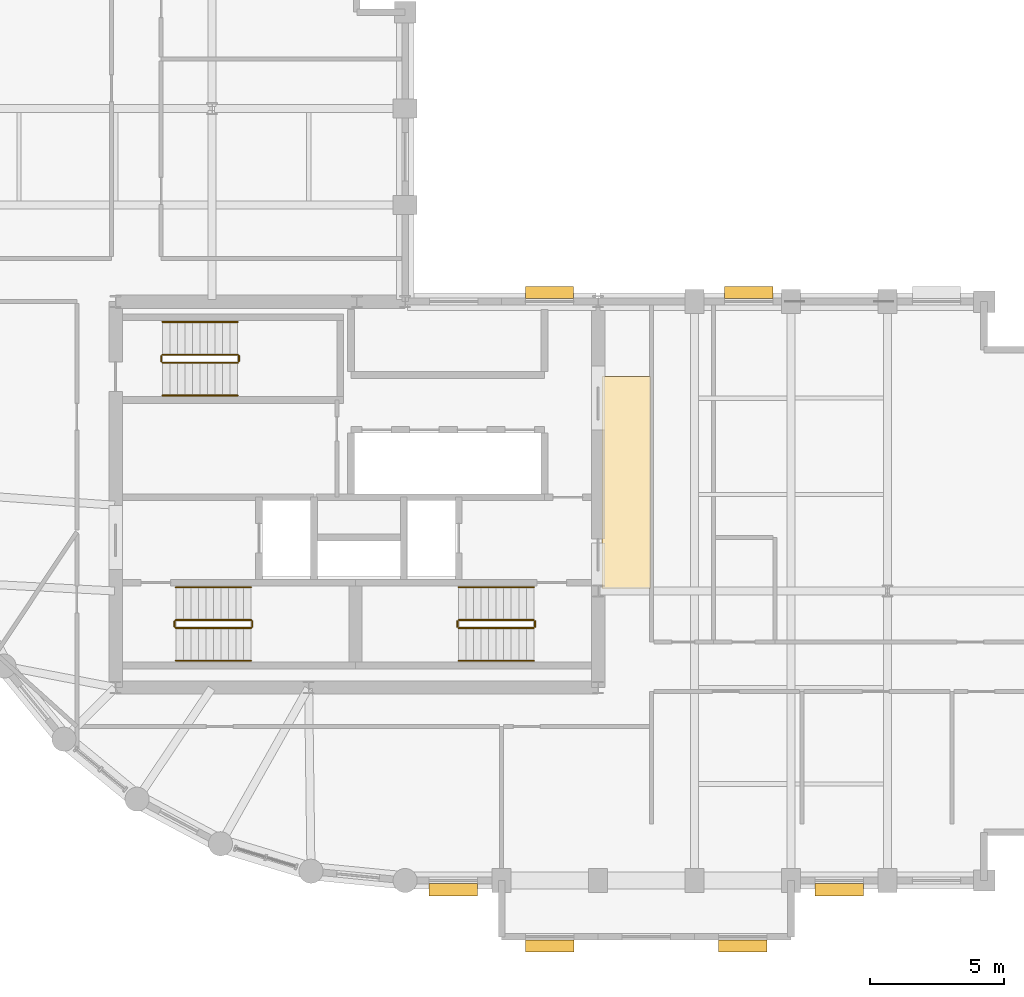
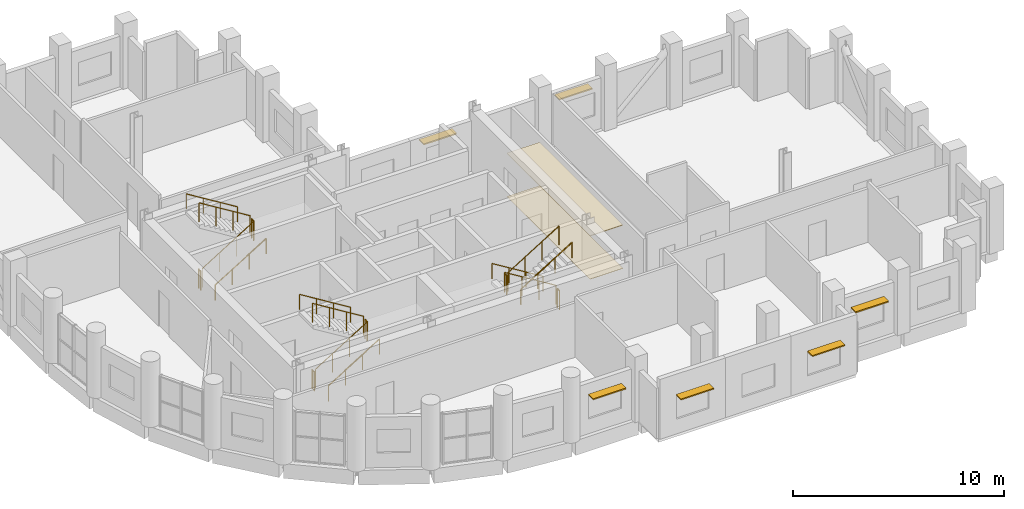
# One storey, part 10 of 11: 18 railings, 6 shading devices, 2 coverings.
"""IFC4 building model written with IfcOpenShell, lengths in metres."""

from ifc_helpers import new_model, si_unit, direction, frame, origin, origin_2d, place, context, subcontext, project, spatial, polyline, rectangle, circle, outline, extrude, material, layer, layer_set, type_object, element, save


model = new_model("IFC4")

# Units and contexts
model_context = context("Model", 3, precision=1e-05, world=origin(), true_north=direction((0.0, 1.0)))
body_context = subcontext(model_context, "Body", "Model", "MODEL_VIEW")
ifc_project = project(units=[si_unit("LENGTHUNIT", "METRE"), si_unit("AREAUNIT", "SQUARE_METRE"), si_unit("VOLUMEUNIT", "CUBIC_METRE"), si_unit("PLANEANGLEUNIT", "RADIAN"), si_unit("MASSUNIT", "GRAM", prefix="KILO")], contexts=[model_context])

# Site, building, storey
site_placement = place(None, origin())
site = spatial("IfcSite", under=ifc_project, at=site_placement, CompositionType="ELEMENT")
building_placement = place(site_placement, origin())
building = spatial("IfcBuilding", under=site, at=building_placement, Name="Solnavia Interchange Tower", CompositionType="ELEMENT")
storey_placement = place(building_placement, frame((0.0, 0.0, 205.199951171875)))
storey = spatial("IfcBuildingStorey", under=building, at=storey_placement, Name="L51", CompositionType="ELEMENT", Elevation=205.199951171875)

# Coverings
ifc_material_1 = material(Name="Perforated Mineral-Fibre & Gypsum Ceiling", Category="gypsum")
ifc_layer_1 = layer(ifc_material_1, 0.0400390625)
ifc_layer_set_1 = layer_set([ifc_layer_1], Name="Perforated Mineral-Fibre & Gypsum Ceiling")
covering_type_1 = type_object("IfcCoveringType", Name="Covering-Ceiling-Acoustic40", PredefinedType="CEILING", material=ifc_layer_set_1)
covering_1_placement = place(storey_placement, frame((0.0, 0.0, 2.5)))
element("IfcCovering", 1, at=covering_1_placement, inside=storey, type_object=covering_type_1, Name="CLG-L51-01 Circulation suspended acoustic ceiling", PredefinedType="CEILING", context=body_context, shape_type="SweptSolid", body=[
    extrude(outline(polyline([(32.550048828125, 14.5), (34.35009765625, 14.5), (34.35009765625, 22.39990234375), (32.550048828125, 22.39990234375), (32.550048828125, 14.5)])), origin(), (0.0, 0.0, 1.0), 0.0400390625),
])
ifc_material_2 = material(Name="Engineered European Oak Flooring", Category="wood")
ifc_layer_2 = layer(ifc_material_2, 0.02001953125)
ifc_layer_set_2 = layer_set([ifc_layer_2], Name="Engineered European Oak Flooring")
covering_type_2 = type_object("IfcCoveringType", Name="Covering-Flooring-Timber20", PredefinedType="FLOORING", material=ifc_layer_set_2)
covering_2_placement = place(storey_placement, origin())
element("IfcCovering", 2, at=covering_2_placement, inside=storey, type_object=covering_type_2, Name="FLR-L51-01 Circulation floor finish", PredefinedType="FLOORING", context=body_context, shape_type="SweptSolid", body=[
    extrude(outline(polyline([(32.550048828125, 14.5), (34.35009765625, 14.5), (34.35009765625, 22.39990234375), (32.550048828125, 22.39990234375), (32.550048828125, 14.5)])), origin(), (0.0, 0.0, 1.0), 0.02001953125),
])

# Railings
ifc_material_3 = material(Name="Painted Steel Balustrade", Category="steel")
railing_type_1 = type_object("IfcRailingType", Name="Railing-StairGuard-1100", PredefinedType="GUARDRAIL", material=ifc_material_3)
railing_1_placement = place(storey_placement, frame((16.64990234375, 13.02001953125, 0.1728515625)))
element("IfcRailing", 3, at=railing_1_placement, inside=storey, type_object=railing_type_1, Name="L51 ST-1 stair guard 1", PredefinedType="GUARDRAIL", context=body_context, shape_type="SweptSolid", body=[
    extrude(circle(Radius=0.02392578125, at=origin_2d()), frame((0.0, 0.0, 1.09619140625), z_axis=(0.851089632645, 0.0, 0.525020415988), x_axis=(0.0, 1.0, 0.0)), (0.0, 0.0, 1.0), 3.2900390625),
    extrude(circle(Radius=0.02099609375, at=origin_2d()), origin(), (0.0, 0.0, 1.0), 1.072021484375),
    extrude(circle(Radius=0.02099609375, at=origin_2d()), frame((0.933349609375, 0.0, 0.57568359375)), (0.0, 0.0, 1.0), 1.072021484375),
    extrude(circle(Radius=0.02099609375, at=origin_2d()), frame((1.86669921875, 0.0, 1.151611328125)), (0.0, 0.0, 1.0), 1.072021484375),
    extrude(circle(Radius=0.02099609375, at=origin_2d()), frame((2.800048828125, 0.0, 1.727294921875)), (0.0, 0.0, 1.0), 1.072021484375),
])
railing_2_placement = place(storey_placement, frame((19.5, 13.070068359375, 1.900146484375)))
element("IfcRailing", 4, at=railing_2_placement, inside=storey, type_object=railing_type_1, Name="L51 ST-1 stair guard 2", PredefinedType="GUARDRAIL", context=body_context, shape_type="SweptSolid", body=[
    extrude(circle(Radius=0.02392578125, at=origin_2d()), frame((0.0, 0.0, 1.09619140625), z_axis=(0.0, 1.0, 0.0), x_axis=(-1.0, 0.0, 0.0)), (0.0, 0.0, 1.0), 0.199951171875),
    extrude(circle(Radius=0.02099609375, at=origin_2d()), origin(), (0.0, 0.0, 1.0), 1.072021484375),
    extrude(circle(Radius=0.02099609375, at=origin_2d()), frame((0.0, 0.199951171875, 0.0)), (0.0, 0.0, 1.0), 1.072021484375),
])
railing_3_placement = place(storey_placement, frame((19.449951171875, 13.320068359375, 2.07275390625)))
element("IfcRailing", 5, at=railing_3_placement, inside=storey, type_object=railing_type_1, Name="L51 ST-1 stair guard 3", PredefinedType="GUARDRAIL", context=body_context, shape_type="SweptSolid", body=[
    extrude(circle(Radius=0.02392578125, at=origin_2d()), frame((0.0, 0.0, 1.09619140625), z_axis=(-0.851089632645, 0.0, 0.525020415988), x_axis=(0.0, -1.0, 0.0)), (0.0, 0.0, 1.0), 3.2900390625),
    extrude(circle(Radius=0.02099609375, at=origin_2d()), origin(), (0.0, 0.0, 1.0), 1.072021484375),
    extrude(circle(Radius=0.02099609375, at=origin_2d()), frame((-0.933349609375, 0.0, 0.57568359375)), (0.0, 0.0, 1.0), 1.072021484375),
    extrude(circle(Radius=0.02099609375, at=origin_2d()), frame((-1.86669921875, 0.0, 1.151611328125)), (0.0, 0.0, 1.0), 1.072021484375),
    extrude(circle(Radius=0.02099609375, at=origin_2d()), frame((-2.800048828125, 0.0, 1.727294921875)), (0.0, 0.0, 1.0), 1.072021484375),
])
railing_4_placement = place(storey_placement, frame((16.60009765625, 13.070068359375, 0.0)))
element("IfcRailing", 6, at=railing_4_placement, inside=storey, type_object=railing_type_1, Name="L51 ST-1 stair guard 4", PredefinedType="GUARDRAIL", context=body_context, shape_type="SweptSolid", body=[
    extrude(circle(Radius=0.02392578125, at=origin_2d()), frame((0.0, 0.0, 1.09619140625), z_axis=(0.0, 1.0, 0.0), x_axis=(-1.0, 0.0, 0.0)), (0.0, 0.0, 1.0), 0.199951171875),
    extrude(circle(Radius=0.02099609375, at=origin_2d()), origin(), (0.0, 0.0, 1.0), 1.072021484375),
    extrude(circle(Radius=0.02099609375, at=origin_2d()), frame((0.0, 0.199951171875, 0.0)), (0.0, 0.0, 1.0), 1.072021484375),
])
railing_5_placement = place(storey_placement, frame((30.0, 13.320068359375, 0.1728515625)))
element("IfcRailing", 7, at=railing_5_placement, inside=storey, type_object=railing_type_1, Name="L51 ST-2 stair guard 1", PredefinedType="GUARDRAIL", context=body_context, shape_type="SweptSolid", body=[
    extrude(circle(Radius=0.02392578125, at=origin_2d()), frame((0.0, 0.0, 1.09619140625), z_axis=(-0.851089632645, 0.0, 0.525020415988), x_axis=(0.0, -1.0, 0.0)), (0.0, 0.0, 1.0), 3.2900390625),
    extrude(circle(Radius=0.02099609375, at=origin_2d()), origin(), (0.0, 0.0, 1.0), 1.072021484375),
    extrude(circle(Radius=0.02099609375, at=origin_2d()), frame((-0.933349609375, 0.0, 0.57568359375)), (0.0, 0.0, 1.0), 1.072021484375),
    extrude(circle(Radius=0.02099609375, at=origin_2d()), frame((-1.86669921875, 0.0, 1.151611328125)), (0.0, 0.0, 1.0), 1.072021484375),
    extrude(circle(Radius=0.02099609375, at=origin_2d()), frame((-2.800048828125, 0.0, 1.727294921875)), (0.0, 0.0, 1.0), 1.072021484375),
])
railing_6_placement = place(storey_placement, frame((27.14990234375, 13.27001953125, 1.900146484375)))
element("IfcRailing", 8, at=railing_6_placement, inside=storey, type_object=railing_type_1, Name="L51 ST-2 stair guard 2", PredefinedType="GUARDRAIL", context=body_context, shape_type="SweptSolid", body=[
    extrude(circle(Radius=0.02392578125, at=origin_2d()), frame((0.0, 0.0, 1.09619140625), z_axis=(0.0, -1.0, 0.0), x_axis=(1.0, 0.0, 0.0)), (0.0, 0.0, 1.0), 0.199951171875),
    extrude(circle(Radius=0.02099609375, at=origin_2d()), origin(), (0.0, 0.0, 1.0), 1.072021484375),
    extrude(circle(Radius=0.02099609375, at=origin_2d()), frame((0.0, -0.199951171875, 0.0)), (0.0, 0.0, 1.0), 1.072021484375),
])
railing_7_placement = place(storey_placement, frame((27.199951171875, 13.02001953125, 2.07275390625)))
element("IfcRailing", 9, at=railing_7_placement, inside=storey, type_object=railing_type_1, Name="L51 ST-2 stair guard 3", PredefinedType="GUARDRAIL", context=body_context, shape_type="SweptSolid", body=[
    extrude(circle(Radius=0.02392578125, at=origin_2d()), frame((0.0, 0.0, 1.09619140625), z_axis=(0.851089632645, 0.0, 0.525020415988), x_axis=(0.0, 1.0, 0.0)), (0.0, 0.0, 1.0), 3.2900390625),
    extrude(circle(Radius=0.02099609375, at=origin_2d()), origin(), (0.0, 0.0, 1.0), 1.072021484375),
    extrude(circle(Radius=0.02099609375, at=origin_2d()), frame((0.933349609375, 0.0, 0.57568359375)), (0.0, 0.0, 1.0), 1.072021484375),
    extrude(circle(Radius=0.02099609375, at=origin_2d()), frame((1.86669921875, 0.0, 1.151611328125)), (0.0, 0.0, 1.0), 1.072021484375),
    extrude(circle(Radius=0.02099609375, at=origin_2d()), frame((2.800048828125, 0.0, 1.727294921875)), (0.0, 0.0, 1.0), 1.072021484375),
])
railing_8_placement = place(storey_placement, frame((30.050048828125, 13.27001953125, 0.0)))
element("IfcRailing", 10, at=railing_8_placement, inside=storey, type_object=railing_type_1, Name="L51 ST-2 stair guard 4", PredefinedType="GUARDRAIL", context=body_context, shape_type="SweptSolid", body=[
    extrude(circle(Radius=0.02392578125, at=origin_2d()), frame((0.0, 0.0, 1.09619140625), z_axis=(0.0, -1.0, 0.0), x_axis=(1.0, 0.0, 0.0)), (0.0, 0.0, 1.0), 0.199951171875),
    extrude(circle(Radius=0.02099609375, at=origin_2d()), origin(), (0.0, 0.0, 1.0), 1.072021484375),
    extrude(circle(Radius=0.02099609375, at=origin_2d()), frame((0.0, -0.199951171875, 0.0)), (0.0, 0.0, 1.0), 1.072021484375),
])
railing_9_placement = place(storey_placement, frame((16.14990234375, 22.919921875, 0.1728515625)))
element("IfcRailing", 11, at=railing_9_placement, inside=storey, type_object=railing_type_1, Name="L51 ST-3 stair guard 1", PredefinedType="GUARDRAIL", context=body_context, shape_type="SweptSolid", body=[
    extrude(circle(Radius=0.02392578125, at=origin_2d()), frame((0.0, 0.0, 1.09619140625), z_axis=(0.851089632645, 0.0, 0.525020415988), x_axis=(0.0, 1.0, 0.0)), (0.0, 0.0, 1.0), 3.2900390625),
    extrude(circle(Radius=0.02099609375, at=origin_2d()), origin(), (0.0, 0.0, 1.0), 1.072021484375),
    extrude(circle(Radius=0.02099609375, at=origin_2d()), frame((0.933349609375, 0.0, 0.57568359375)), (0.0, 0.0, 1.0), 1.072021484375),
    extrude(circle(Radius=0.02099609375, at=origin_2d()), frame((1.86669921875, 0.0, 1.151611328125)), (0.0, 0.0, 1.0), 1.072021484375),
    extrude(circle(Radius=0.02099609375, at=origin_2d()), frame((2.800048828125, 0.0, 1.727294921875)), (0.0, 0.0, 1.0), 1.072021484375),
])
railing_10_placement = place(storey_placement, frame((19.0, 22.969970703125, 1.900146484375)))
element("IfcRailing", 12, at=railing_10_placement, inside=storey, type_object=railing_type_1, Name="L51 ST-3 stair guard 2", PredefinedType="GUARDRAIL", context=body_context, shape_type="SweptSolid", body=[
    extrude(circle(Radius=0.02392578125, at=origin_2d()), frame((0.0, 0.0, 1.09619140625), z_axis=(0.0, 1.0, 0.0), x_axis=(-1.0, 0.0, 0.0)), (0.0, 0.0, 1.0), 0.199951171875),
    extrude(circle(Radius=0.02099609375, at=origin_2d()), origin(), (0.0, 0.0, 1.0), 1.072021484375),
    extrude(circle(Radius=0.02099609375, at=origin_2d()), frame((0.0, 0.199951171875, 0.0)), (0.0, 0.0, 1.0), 1.072021484375),
])
railing_11_placement = place(storey_placement, frame((18.949951171875, 23.219970703125, 2.07275390625)))
element("IfcRailing", 13, at=railing_11_placement, inside=storey, type_object=railing_type_1, Name="L51 ST-3 stair guard 3", PredefinedType="GUARDRAIL", context=body_context, shape_type="SweptSolid", body=[
    extrude(circle(Radius=0.02392578125, at=origin_2d()), frame((0.0, 0.0, 1.09619140625), z_axis=(-0.851089632645, 0.0, 0.525020415988), x_axis=(0.0, -1.0, 0.0)), (0.0, 0.0, 1.0), 3.2900390625),
    extrude(circle(Radius=0.02099609375, at=origin_2d()), origin(), (0.0, 0.0, 1.0), 1.072021484375),
    extrude(circle(Radius=0.02099609375, at=origin_2d()), frame((-0.933349609375, 0.0, 0.57568359375)), (0.0, 0.0, 1.0), 1.072021484375),
    extrude(circle(Radius=0.02099609375, at=origin_2d()), frame((-1.86669921875, 0.0, 1.151611328125)), (0.0, 0.0, 1.0), 1.072021484375),
    extrude(circle(Radius=0.02099609375, at=origin_2d()), frame((-2.800048828125, 0.0, 1.727294921875)), (0.0, 0.0, 1.0), 1.072021484375),
])
railing_12_placement = place(storey_placement, frame((16.10009765625, 22.969970703125, 0.0)))
element("IfcRailing", 14, at=railing_12_placement, inside=storey, type_object=railing_type_1, Name="L51 ST-3 stair guard 4", PredefinedType="GUARDRAIL", context=body_context, shape_type="SweptSolid", body=[
    extrude(circle(Radius=0.02392578125, at=origin_2d()), frame((0.0, 0.0, 1.09619140625), z_axis=(0.0, 1.0, 0.0), x_axis=(-1.0, 0.0, 0.0)), (0.0, 0.0, 1.0), 0.199951171875),
    extrude(circle(Radius=0.02099609375, at=origin_2d()), origin(), (0.0, 0.0, 1.0), 1.072021484375),
    extrude(circle(Radius=0.02099609375, at=origin_2d()), frame((0.0, 0.199951171875, 0.0)), (0.0, 0.0, 1.0), 1.072021484375),
])
ifc_material_4 = material(Name="Brushed Stainless Steel", Category="steel")
railing_type_2 = type_object("IfcRailingType", Name="Railing-StairHandrail-900", PredefinedType="HANDRAIL", material=ifc_material_4)
railing_13_placement = place(storey_placement, frame((16.64990234375, 11.800048828125, 0.1728515625)))
element("IfcRailing", 15, at=railing_13_placement, inside=storey, type_object=railing_type_2, Name="L51 ST-1 stair handrail 1", PredefinedType="HANDRAIL", context=body_context, shape_type="SweptSolid", body=[
    extrude(circle(Radius=0.02392578125, at=origin_2d()), frame((0.0, 0.0, 0.8759765625), z_axis=(0.851089632645, 0.0, 0.525020415988), x_axis=(0.0, 1.0, 0.0)), (0.0, 0.0, 1.0), 3.2900390625),
    extrude(circle(Radius=0.02099609375, at=origin_2d()), origin(), (0.0, 0.0, 1.0), 0.851806640625),
    extrude(circle(Radius=0.02099609375, at=origin_2d()), frame((0.933349609375, 0.0, 0.57568359375)), (0.0, 0.0, 1.0), 0.851806640625),
    extrude(circle(Radius=0.02099609375, at=origin_2d()), frame((1.86669921875, 0.0, 1.151611328125)), (0.0, 0.0, 1.0), 0.851806640625),
    extrude(circle(Radius=0.02099609375, at=origin_2d()), frame((2.800048828125, 0.0, 1.727294921875)), (0.0, 0.0, 1.0), 0.851806640625),
])
for number, where, name in (
    (16, (19.449951171875, 14.5400390625, 2.07275390625), "L51 ST-1 stair handrail 2"),
    (17, (30.0, 14.5400390625, 0.1728515625), "L51 ST-2 stair handrail 1"),
):
    element("IfcRailing", number, at=place(storey_placement, frame(where)), inside=storey, type_object=railing_type_2, Name=name, PredefinedType="HANDRAIL", context=body_context, shape_type="SweptSolid", body=[
        extrude(circle(Radius=0.02392578125, at=origin_2d()), frame((0.0, 0.0, 0.8759765625), z_axis=(-0.851089632645, 0.0, 0.525020415988), x_axis=(0.0, -1.0, 0.0)), (0.0, 0.0, 1.0), 3.2900390625),
        extrude(circle(Radius=0.02099609375, at=origin_2d()), origin(), (0.0, 0.0, 1.0), 0.851806640625),
        extrude(circle(Radius=0.02099609375, at=origin_2d()), frame((-0.933349609375, 0.0, 0.57568359375)), (0.0, 0.0, 1.0), 0.851806640625),
        extrude(circle(Radius=0.02099609375, at=origin_2d()), frame((-1.86669921875, 0.0, 1.151611328125)), (0.0, 0.0, 1.0), 0.851806640625),
        extrude(circle(Radius=0.02099609375, at=origin_2d()), frame((-2.800048828125, 0.0, 1.727294921875)), (0.0, 0.0, 1.0), 0.851806640625),
    ])
for number, where, name in (
    (18, (27.199951171875, 11.800048828125, 2.07275390625), "L51 ST-2 stair handrail 2"),
    (19, (16.14990234375, 21.699951171875, 0.1728515625), "L51 ST-3 stair handrail 1"),
):
    element("IfcRailing", number, at=place(storey_placement, frame(where)), inside=storey, type_object=railing_type_2, Name=name, PredefinedType="HANDRAIL", context=body_context, shape_type="SweptSolid", body=[
        extrude(circle(Radius=0.02392578125, at=origin_2d()), frame((0.0, 0.0, 0.8759765625), z_axis=(0.851089632645, 0.0, 0.525020415988), x_axis=(0.0, 1.0, 0.0)), (0.0, 0.0, 1.0), 3.2900390625),
        extrude(circle(Radius=0.02099609375, at=origin_2d()), origin(), (0.0, 0.0, 1.0), 0.851806640625),
        extrude(circle(Radius=0.02099609375, at=origin_2d()), frame((0.933349609375, 0.0, 0.57568359375)), (0.0, 0.0, 1.0), 0.851806640625),
        extrude(circle(Radius=0.02099609375, at=origin_2d()), frame((1.86669921875, 0.0, 1.151611328125)), (0.0, 0.0, 1.0), 0.851806640625),
        extrude(circle(Radius=0.02099609375, at=origin_2d()), frame((2.800048828125, 0.0, 1.727294921875)), (0.0, 0.0, 1.0), 0.851806640625),
    ])
railing_14_placement = place(storey_placement, frame((18.949951171875, 24.43994140625, 2.07275390625)))
element("IfcRailing", 20, at=railing_14_placement, inside=storey, type_object=railing_type_2, Name="L51 ST-3 stair handrail 2", PredefinedType="HANDRAIL", context=body_context, shape_type="SweptSolid", body=[
    extrude(circle(Radius=0.02392578125, at=origin_2d()), frame((0.0, 0.0, 0.8759765625), z_axis=(-0.851089632645, 0.0, 0.525020415988), x_axis=(0.0, -1.0, 0.0)), (0.0, 0.0, 1.0), 3.2900390625),
    extrude(circle(Radius=0.02099609375, at=origin_2d()), origin(), (0.0, 0.0, 1.0), 0.851806640625),
    extrude(circle(Radius=0.02099609375, at=origin_2d()), frame((-0.933349609375, 0.0, 0.57568359375)), (0.0, 0.0, 1.0), 0.851806640625),
    extrude(circle(Radius=0.02099609375, at=origin_2d()), frame((-1.86669921875, 0.0, 1.151611328125)), (0.0, 0.0, 1.0), 0.851806640625),
    extrude(circle(Radius=0.02099609375, at=origin_2d()), frame((-2.800048828125, 0.0, 1.727294921875)), (0.0, 0.0, 1.0), 0.851806640625),
])

# Shading devices
ifc_material_5 = material(Name="Anodised Aluminium Sunshade", Category="aluminium")
ifc_layer_3 = layer(ifc_material_5, 0.070068359375)
ifc_layer_set_3 = layer_set([ifc_layer_3], Name="Anodised Aluminium Sunshade")
shading_device_type = type_object("IfcShadingDeviceType", Name="Sunshade-Band-450", PredefinedType="JALOUSIE", material=ifc_layer_set_3)
for number, where, z_axis, x_axis, name in (
    (21, (27.0, 3.2548828125, 2.22509765625), (0.0, 0.0, 1.0), (-1.0, 0.0, 0.0), "SHD-L51-01 Horizontal sunshade band"),
    (22, (30.60009765625, 1.155029296875, 2.22509765625), (0.0, 0.0, 1.0), (-1.0, 0.0, 0.0), "SHD-L51-03 Horizontal sunshade band"),
    (23, (37.800048828125, 1.155029296875, 2.22509765625), (0.0, 0.0, 1.0), (-1.0, 0.0, 0.0), "SHD-L51-05 Horizontal sunshade band"),
    (24, (41.39990234375, 3.2548828125, 2.22509765625), (0.0, 0.0, 1.0), (-1.0, 0.0, 0.0), "SHD-L51-07 Horizontal sunshade band"),
    (25, (38.02001953125, 25.544921875, 2.22509765625), (0.0, 0.0, 1.0), (1.0, 0.0, 0.0), "SHD-L51-23 Horizontal sunshade band"),
    (26, (30.583984375, 25.544921875, 2.22509765625), (0.0, 0.0, 1.0), (1.0, 0.0, 0.0), "SHD-L51-25 Horizontal sunshade band"),
):
    element("IfcShadingDevice", number, at=place(storey_placement, frame(where, z_axis=z_axis, x_axis=x_axis)), inside=storey, type_object=shading_device_type, Name=name, PredefinedType="JALOUSIE", context=body_context, shape_type="SweptSolid", body=[
        extrude(rectangle(XDim=1.800048828125, YDim=0.449951171875, at=origin_2d()), origin(), (0.0, 0.0, 1.0), 0.070068359375),
    ])

save(model, "model.ifc")
